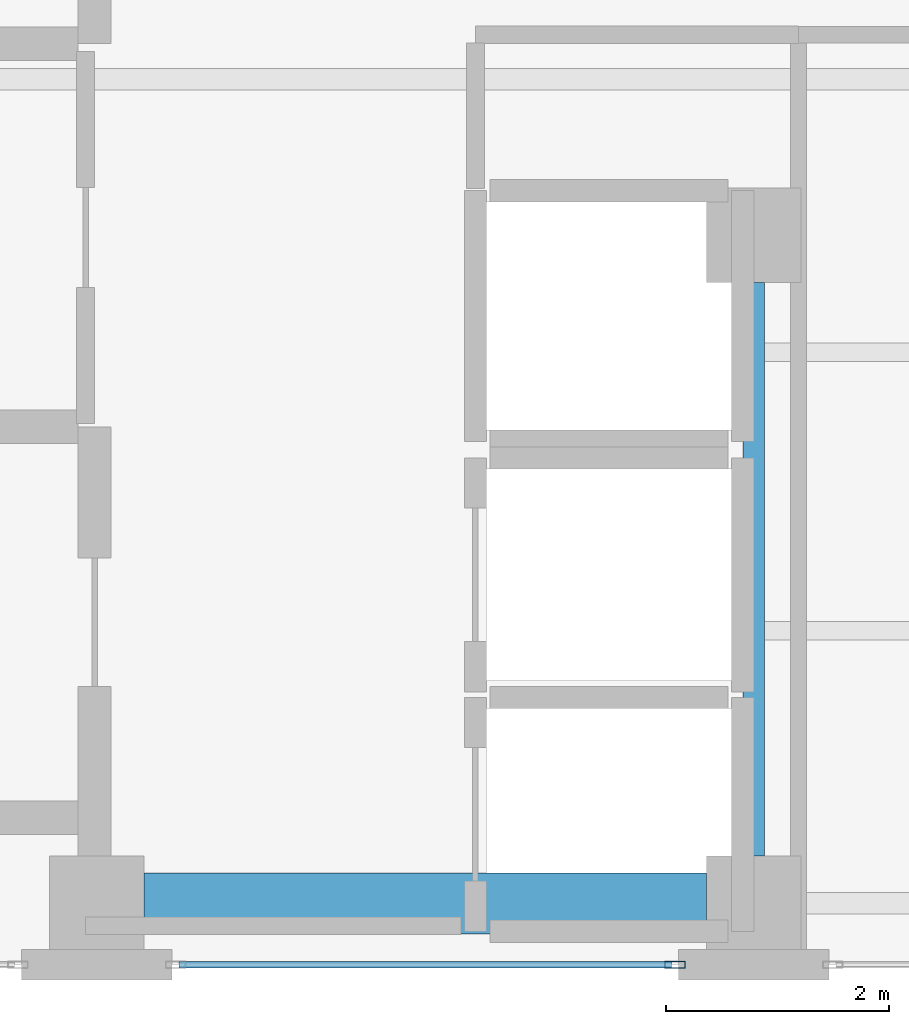
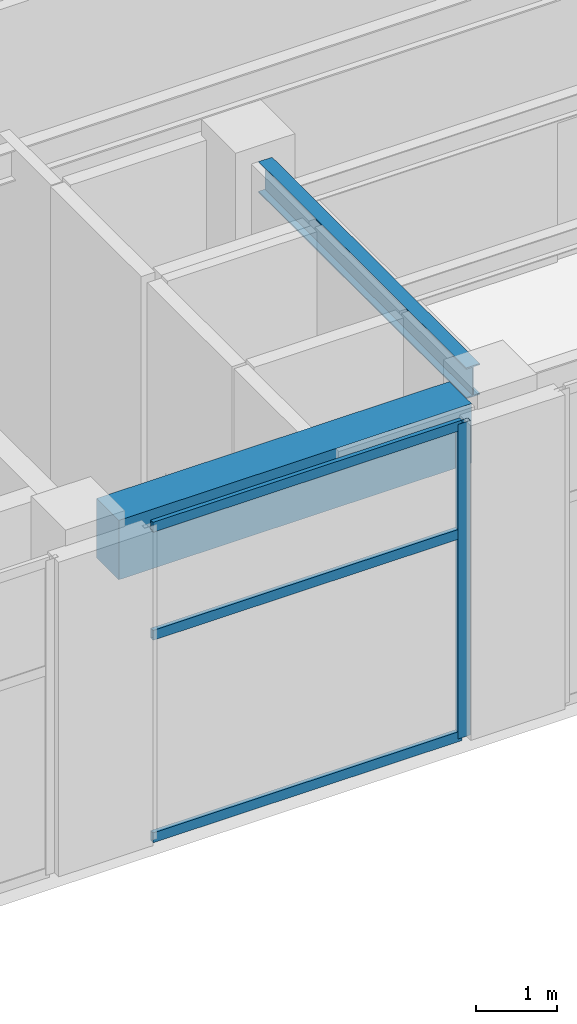
# One storey, part 3 of 12: 4 members, 2 beams, 1 element without a shape of its own.
"""IFC4 building model written with IfcOpenShell, lengths in metres."""

from ifc_helpers import new_model, si_unit, direction, frame, origin, origin_2d, place, context, subcontext, project, spatial, rectangle, hollow_rectangle, i_section, extrude, material, layer, layer_set, material_profile, profile_set, type_object, element, aggregate, save


model = new_model("IFC4")

# Units and contexts
model_context = context("Model", 3, precision=1e-05, world=origin(), true_north=direction((0.0, 1.0)))
body_context = subcontext(model_context, "Body", "Model", "MODEL_VIEW")
ifc_project = project(units=[si_unit("LENGTHUNIT", "METRE"), si_unit("AREAUNIT", "SQUARE_METRE"), si_unit("VOLUMEUNIT", "CUBIC_METRE"), si_unit("PLANEANGLEUNIT", "RADIAN"), si_unit("MASSUNIT", "GRAM", prefix="KILO")], contexts=[model_context])

# Site, building, storey
site_placement = place(None, origin())
site = spatial("IfcSite", under=ifc_project, at=site_placement, CompositionType="ELEMENT")
building_placement = place(site_placement, origin())
building = spatial("IfcBuilding", under=site, at=building_placement, Name="Mawjaban Terraces University", CompositionType="ELEMENT")
storey_placement = place(building_placement, frame((0.0, 0.0, 321.699951171875)))
storey = spatial("IfcBuildingStorey", under=building, at=storey_placement, Name="L78", CompositionType="ELEMENT", Elevation=321.699951171875)

# Beams
ifc_material_1 = material(Name="Steel ASTM A572 Grade 50", Category="steel")
ifc_material_profile_1 = material_profile(ifc_material_1, i_section(OverallWidth=0.194091796875, OverallDepth=0.468994140625, WebThickness=0.011474609375, FlangeThickness=0.0205078125, at=origin_2d()), Name="W460X106")
ifc_profile_set_1 = profile_set([ifc_material_profile_1], Name="Steel ASTM A572 Grade 50")
beam_type_1 = type_object("IfcBeamType", Name="Beam_B_W460X106", PredefinedType="BEAM", material=ifc_profile_set_1)
beam_1_placement = place(storey_placement, frame((37.64990234375, 0.97509765625, 4.525146484375), z_axis=(0.0, 1.0, 0.0), x_axis=(-1.0, 0.0, 0.0)))
element("IfcBeam", 1, at=beam_1_placement, inside=storey, type_object=beam_type_1, Name="L78 Beam BM-L78-NS-01", PredefinedType="BEAM", context=body_context, shape_type="SweptSolid", body=[
    extrude(i_section(OverallWidth=0.194091796875, OverallDepth=0.468994140625, WebThickness=0.011474609375, FlangeThickness=0.0205078125, at=origin_2d()), origin(), (0.0, 0.0, 1.0), 5.14990234375),
])
ifc_material_2 = material(Name="Concrete C50/60", Category="concrete")
ifc_material_profile_2 = material_profile(ifc_material_2, rectangle(XDim=0.550048828125, YDim=0.89990234375, at=origin_2d()), Name="RC900X550")
ifc_profile_set_2 = profile_set([ifc_material_profile_2], Name="Concrete C50/60")
beam_type_2 = type_object("IfcBeamType", Name="Beam_CB_RC900X550", PredefinedType="LINTEL", material=ifc_profile_set_2)
beam_2_placement = place(storey_placement, frame((32.175048828125, 0.550048828125, 4.31005859375), z_axis=(1.0, 0.0, 0.0), x_axis=(0.0, 1.0, 0.0)))
element("IfcBeam", 2, at=beam_2_placement, inside=storey, type_object=beam_type_2, Name="L78 Lintel BM-L78-EW-01", PredefinedType="LINTEL", context=body_context, shape_type="SweptSolid", body=[
    extrude(rectangle(XDim=0.550048828125, YDim=0.89990234375, at=origin_2d()), origin(), (0.0, 0.0, 1.0), 5.050048828125),
])

# Curtain wall, members
ifc_material_3 = material(Name="Anodised aluminium 6063-T6 and solar-control low-E glass", Category="aluminium")
ifc_layer = layer(ifc_material_3, 0.199951171875)
ifc_layer_set = layer_set([ifc_layer], Name="Anodised aluminium 6063-T6 and solar-control low-E glass")
curtain_wall_type = type_object("IfcCurtainWallType", Name="CWSystem_06_ObservationCrown", PredefinedType="NOTDEFINED", material=ifc_layer_set)
curtain_wall_placement = place(storey_placement, origin())
curtain_wall = element("IfcCurtainWall", 3, at=curtain_wall_placement, inside=storey, type_object=curtain_wall_type, Name="L78 Curtain Wall CW-06 Run 1.2", PredefinedType="NOTDEFINED")
ifc_material_4 = material(Name="Anodised aluminium 6063-T6", Category="aluminium")
ifc_material_profile_3 = material_profile(ifc_material_4, hollow_rectangle(XDim=0.06494140625, YDim=0.179931640625, WallThickness=0.00390625, at=origin_2d()), Name="ALU180X65X4")
ifc_profile_set_3 = profile_set([ifc_material_profile_3], Name="Anodised aluminium 6063-T6")
member_type_1 = type_object("IfcMemberType", Name="Mullion_CW-06", PredefinedType="MULLION", material=ifc_profile_set_3)
member_1_placement = place(storey_placement, frame((36.9423828125, 0.0, 0.0), z_axis=(0.0, 0.0, 1.0), x_axis=(0.0, 1.0, 0.0)))
member_1 = element("IfcMember", 4, at=member_1_placement, type_object=member_type_1, Name="CW-06 mullion 2", PredefinedType="MULLION", context=body_context, shape_type="SweptSolid", body=[
    extrude(hollow_rectangle(XDim=0.06494140625, YDim=0.179931640625, WallThickness=0.00390625, at=origin_2d()), origin(), (0.0, 0.0, 1.0), 4.760009765625),
])
ifc_material_profile_4 = material_profile(ifc_material_4, hollow_rectangle(XDim=0.06005859375, YDim=0.14990234375, WallThickness=0.00390625, at=origin_2d()), Name="ALU150X60X4")
ifc_profile_set_4 = profile_set([ifc_material_profile_4], Name="Anodised aluminium 6063-T6")
member_type_2 = type_object("IfcMemberType", Name="Transom_CW-06", PredefinedType="NOTDEFINED", material=ifc_profile_set_4)
member_2_placement = place(storey_placement, frame((32.489990234375, 0.0, 0.030029296875), z_axis=(1.0, 0.0, 0.0), x_axis=(0.0, 1.0, 0.0)))
member_2 = element("IfcMember", 5, at=member_2_placement, type_object=member_type_2, Name="CW-06 transom 1.1", ObjectType="TRANSOM", PredefinedType="USERDEFINED", context=body_context, shape_type="SweptSolid", body=[
    extrude(hollow_rectangle(XDim=0.06005859375, YDim=0.14990234375, WallThickness=0.00390625, at=origin_2d()), origin(), (0.0, 0.0, 1.0), 4.419921875),
])
member_3_placement = place(storey_placement, frame((32.489990234375, 0.0, 3.093994140625), z_axis=(1.0, 0.0, 0.0), x_axis=(0.0, 1.0, 0.0)))
member_3 = element("IfcMember", 6, at=member_3_placement, type_object=member_type_2, Name="CW-06 transom 1.2", ObjectType="TRANSOM", PredefinedType="USERDEFINED", context=body_context, shape_type="SweptSolid", body=[
    extrude(hollow_rectangle(XDim=0.06005859375, YDim=0.14990234375, WallThickness=0.00390625, at=origin_2d()), origin(), (0.0, 0.0, 1.0), 4.419921875),
])
member_4_placement = place(storey_placement, frame((32.489990234375, 0.0, 4.72998046875), z_axis=(1.0, 0.0, 0.0), x_axis=(0.0, 1.0, 0.0)))
member_4 = element("IfcMember", 7, at=member_4_placement, type_object=member_type_2, Name="CW-06 transom 1.3", ObjectType="TRANSOM", PredefinedType="USERDEFINED", context=body_context, shape_type="SweptSolid", body=[
    extrude(hollow_rectangle(XDim=0.06005859375, YDim=0.14990234375, WallThickness=0.00390625, at=origin_2d()), origin(), (0.0, 0.0, 1.0), 4.419921875),
])
aggregate(curtain_wall, [member_1, member_2, member_3, member_4])

save(model, "model.ifc")
